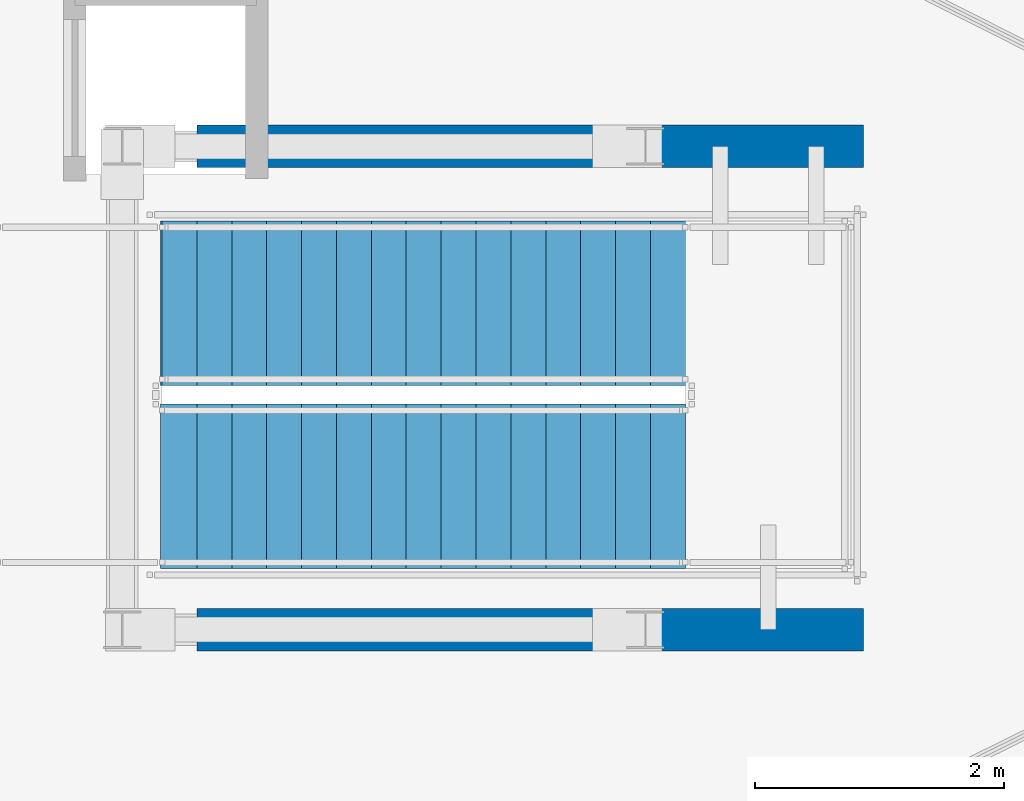
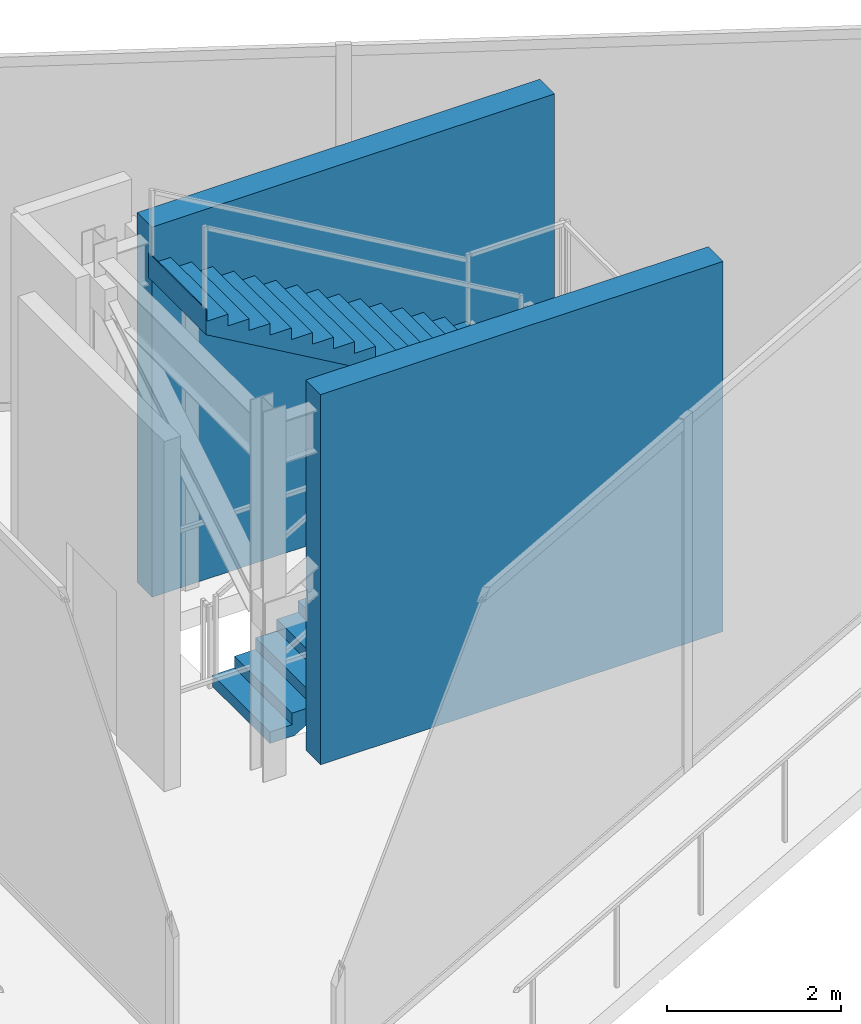
# One storey, part 2 of 3: 2 stair flights, 2 walls, 1 element without a shape of its own.
"""IFC4 building model written with IfcOpenShell, lengths in metres."""

import ifcopenshell
import ifcopenshell.guid

model = None  # the IFC model being written
_history = None  # IfcOwnerHistory: only IFC2X3 demands one
_inside = {}  # id of a spatial element -> (the spatial element, [elements in it])
_under = {}  # id of a project, library or spatial element -> (it, [spatial elements below it])
_declared = {}  # id of a project -> (the project, [libraries it declares])
_typed = {}  # id of a type object -> (the type object, [elements of that type])
_made_of = {}  # id of a material, layer set ... -> (it, [elements and type objects made of it])


def new_model(schema):
    """Start an empty IFC model of exactly this schema.

    Asked for "IFC4X3", IfcOpenShell would pick the latest addendum, in which some entities
    have other attributes; the version numbers below select the first issue.
    IFC2X3 requires an IfcOwnerHistory on every rooted entity: one is made here for all.
    """
    global model, _history
    if schema == "IFC4X3":
        model = ifcopenshell.file(schema_version=(4, 3, 0, 0))
    else:
        model = ifcopenshell.file(schema=schema)
    _inside.clear()
    _under.clear()
    _declared.clear()
    _typed.clear()
    _made_of.clear()
    _history = None
    if model.schema == "IFC2X3":
        org = make("IfcOrganization", Name="unknown")
        user = make(
            "IfcPersonAndOrganization",
            ThePerson=make("IfcPerson", FamilyName="unknown"),
            TheOrganization=org,
        )
        app = make(
            "IfcApplication",
            ApplicationDeveloper=org,
            Version="unknown",
            ApplicationFullName="unknown",
            ApplicationIdentifier="unknown",
        )
        _history = make(
            "IfcOwnerHistory",
            OwningUser=user,
            OwningApplication=app,
            ChangeAction="ADDED",
            CreationDate=0,
        )
    return model


def make(cls, **values):
    """One entity of the class cls with the attributes given. An attribute that is None is left unset."""
    return model.create_entity(
        cls, **{name: value for name, value in values.items() if value is not None}
    )


def rooted(cls, **values):
    """An entity with a GlobalId (a new one), such as an element, a storey or a relation."""
    return make(cls, GlobalId=ifcopenshell.guid.new(), OwnerHistory=_history, **values)


def si_unit(unit_type, name, prefix=None):
    """IfcSIUnit, for example si_unit("LENGTHUNIT", "METRE", prefix="MILLI")."""
    return make("IfcSIUnit", UnitType=unit_type, Prefix=prefix, Name=name)


def assignment(units):
    """IfcUnitAssignment: the units of a project."""
    return None if units is None else make("IfcUnitAssignment", Units=units)


def point(xyz):
    """IfcCartesianPoint."""
    return None if xyz is None else make("IfcCartesianPoint", Coordinates=xyz)


def direction(xyz):
    """IfcDirection."""
    return None if xyz is None else make("IfcDirection", DirectionRatios=xyz)


def frame(location, z_axis=None, x_axis=None):
    """IfcAxis2Placement3D, a coordinate frame: its origin and axes. An axis left out is left unset."""
    return make(
        "IfcAxis2Placement3D",
        Location=point(location),
        Axis=direction(z_axis),
        RefDirection=direction(x_axis),
    )


def frame_2d(location, x_axis=None):
    """IfcAxis2Placement2D, a coordinate frame in the plane: its origin and x axis."""
    return make(
        "IfcAxis2Placement2D", Location=point(location), RefDirection=direction(x_axis)
    )


def origin():
    """The frame at (0, 0, 0) with its axes left unset."""
    return frame((0.0, 0.0, 0.0))


def place(relative_to, where):
    """IfcLocalPlacement: puts the frame where relative to a parent placement (None: the world)."""
    return make(
        "IfcLocalPlacement", PlacementRelTo=relative_to, RelativePlacement=where
    )


def context(
    kind, dimensions, precision=None, world=None, true_north=None, identifier=None
):
    """IfcGeometricRepresentationContext, for example the 3D "Model" context."""
    return make(
        "IfcGeometricRepresentationContext",
        ContextIdentifier=identifier,
        ContextType=kind,
        CoordinateSpaceDimension=dimensions,
        Precision=precision,
        WorldCoordinateSystem=world,
        TrueNorth=true_north,
    )


def subcontext(parent, identifier, kind, view, scale=None):
    """IfcGeometricRepresentationSubContext, for example "Body" below "Model"."""
    return make(
        "IfcGeometricRepresentationSubContext",
        ContextIdentifier=identifier,
        ContextType=kind,
        ParentContext=parent,
        TargetScale=scale,
        TargetView=view,
    )


def project(units=None, contexts=None):
    """IfcProject with its units and contexts."""
    return rooted(
        "IfcProject",
        Name="project",
        RepresentationContexts=contexts,
        UnitsInContext=assignment(units),
    )


def spatial(cls, under=None, at=None, **own):
    """A site, building, storey or space (cls), placed at a placement, below another one or the project."""
    s = rooted(cls, ObjectPlacement=at, **own)
    if under is not None:
        _under.setdefault(under.id(), (under, []))[1].append(s)
    return s


def polyline(points):
    """IfcPolyline through the points."""
    return make("IfcPolyline", Points=[point(p) for p in points])


def profile(cls, at=None, kind="AREA", **sizes):
    """A parametric profile (cls). Its sizes go by their IFC names, for example OverallWidth=200.0."""
    return make(cls, ProfileType=kind, Position=at, **sizes)


def rectangle(**sizes):
    """IfcRectangleProfileDef."""
    return profile("IfcRectangleProfileDef", **sizes)


def outline(outer, holes=None, kind="AREA"):
    """IfcArbitraryClosedProfileDef: a profile drawn as a closed curve; with holes, ...WithVoids."""
    if holes is None:
        return make("IfcArbitraryClosedProfileDef", ProfileType=kind, OuterCurve=outer)
    return make(
        "IfcArbitraryProfileDefWithVoids",
        ProfileType=kind,
        OuterCurve=outer,
        InnerCurves=holes,
    )


def extrude(swept, where, along, depth):
    """IfcExtrudedAreaSolid: the profile swept, set in the frame where, extruded along a direction by depth."""
    return make(
        "IfcExtrudedAreaSolid",
        SweptArea=swept,
        Position=where,
        ExtrudedDirection=direction(along),
        Depth=depth,
    )


def shape(context_of_items, identifier, shape_type, items):
    """IfcShapeRepresentation: the items that make up one representation, for example the "Body"."""
    return make(
        "IfcShapeRepresentation",
        ContextOfItems=context_of_items,
        RepresentationIdentifier=identifier,
        RepresentationType=shape_type,
        Items=items,
    )


def material(Name=None, Category=None):
    """IfcMaterial."""
    return make("IfcMaterial", Name=Name, Category=Category)


def layer(
    of_material, thickness, ventilated=None, Name=None, Category=None, Priority=None
):
    """IfcMaterialLayer: one layer of a wall or slab, of a material (None: an air gap)."""
    return make(
        "IfcMaterialLayer",
        Material=of_material,
        LayerThickness=thickness,
        IsVentilated=ventilated,
        Name=Name,
        Category=Category,
        Priority=Priority,
    )


def layer_set(layers, Name=None):
    """IfcMaterialLayerSet."""
    return make("IfcMaterialLayerSet", MaterialLayers=layers, LayerSetName=Name)


def made_of(thing, what):
    """Note that an element or type object is made of a material, layer set ...; save() writes the relation."""
    if what is not None:
        _made_of.setdefault(what.id(), (what, []))[1].append(thing)
    return thing


def type_object(cls, material=None, **own):
    """A type object (cls), such as IfcWallType, which elements share."""
    return made_of(rooted(cls, **own), material)


def element(
    cls,
    number,
    at=None,
    inside=None,
    cuts=None,
    type_object=None,
    material=None,
    context=None,
    identifier="Body",
    shape_type=None,
    held_by="IfcProductDefinitionShape",
    body=None,
    shapes=None,
    **own,
):
    """One element of the class cls, such as IfcWall. Its Tag is "e" and its number.

    at: its placement. inside: the storey or other place that contains it. cuts: it is an
    opening in that element (IfcRelVoidsElement). A single representation is given by context,
    identifier, shape_type and body (its items); several are given by shapes. held_by: the class
    of the entity that holds the representations. save() writes the other relations.
    """
    e = rooted(cls, Tag="e%d" % number, ObjectPlacement=at, **own)
    if body is not None:
        shapes = [shape(context, identifier, shape_type, body)]
    if shapes is not None:
        e.Representation = make(held_by, Representations=shapes)
    if inside is not None:
        _inside.setdefault(inside.id(), (inside, []))[1].append(e)
    if cuts is not None:
        rooted(
            "IfcRelVoidsElement", RelatingBuildingElement=cuts, RelatedOpeningElement=e
        )
    if type_object is not None:
        _typed.setdefault(type_object.id(), (type_object, []))[1].append(e)
    return made_of(e, material)


def aggregate(whole, parts):
    """IfcRelAggregates: a whole, such as a stair, and the parts it consists of."""
    return rooted("IfcRelAggregates", RelatingObject=whole, RelatedObjects=parts)


def save(model, path):
    """Write the relations noted so far, then the file.

    IfcRelAggregates (storeys below a building ...), IfcRelContainedInSpatialStructure (elements
    in a storey), IfcRelDefinesByType, IfcRelAssociatesMaterial and IfcRelDeclares: one each for
    every whole, place, type object, material and project.
    """
    for whole, parts in _under.values():
        aggregate(whole, parts)
    for where, things in _inside.values():
        rooted(
            "IfcRelContainedInSpatialStructure",
            RelatedElements=things,
            RelatingStructure=where,
        )
    for kind, things in _typed.values():
        rooted("IfcRelDefinesByType", RelatedObjects=things, RelatingType=kind)
    for what, things in _made_of.values():
        rooted("IfcRelAssociatesMaterial", RelatedObjects=things, RelatingMaterial=what)
    for by, libraries in _declared.values():
        rooted("IfcRelDeclares", RelatingContext=by, RelatedDefinitions=libraries)
    model.write(path)


model = new_model("IFC4")

# Units and contexts
model_context = context("Model", 3, precision=1e-05, world=origin(), true_north=direction((0.0, 1.0)))
body_context = subcontext(model_context, "Body", "Model", "MODEL_VIEW")
ifc_project = project(units=[si_unit("LENGTHUNIT", "METRE"), si_unit("AREAUNIT", "SQUARE_METRE"), si_unit("VOLUMEUNIT", "CUBIC_METRE"), si_unit("PLANEANGLEUNIT", "RADIAN"), si_unit("MASSUNIT", "GRAM", prefix="KILO")], contexts=[model_context])

# Site, building, storey
site_placement = place(None, origin())
site = spatial("IfcSite", under=ifc_project, at=site_placement, CompositionType="ELEMENT")
building_placement = place(site_placement, origin())
building = spatial("IfcBuilding", under=site, at=building_placement, Name="Yunling Apex Tower", CompositionType="ELEMENT")
storey_placement = place(building_placement, frame((0.0, 0.0, 333.449951171875)))
storey = spatial("IfcBuildingStorey", under=building, at=storey_placement, Name="C04", CompositionType="ELEMENT", Elevation=333.449951171875)

# Walls
ifc_material = material(Name="Concrete C40", Category="concrete")
ifc_layer = layer(ifc_material, 0.340087890625)
ifc_layer_set = layer_set([ifc_layer], Name="Concrete C40")
wall_type = type_object("IfcWallType", Name="WL-COR-6", PredefinedType="SHEAR", material=ifc_layer_set)
for number, where, z_axis, x_axis, name in (
    (1, (-1.199951171875, 1.93994140625, 0.0), (0.0, 0.0, 1.0), (1.0, 0.0, 0.0), "C04 Crown Stair North Bearing Wall"),
    (2, (-1.199951171875, -1.93994140625, 0.0), (0.0, 0.0, 1.0), (1.0, 0.0, 0.0), "C04 Crown Stair South Bearing Wall"),
):
    element("IfcWall", number, at=place(storey_placement, frame(where, z_axis=z_axis, x_axis=x_axis)), inside=storey, type_object=wall_type, Name=name, PredefinedType="SHEAR", context=body_context, shape_type="SweptSolid", body=[
        extrude(rectangle(XDim=5.349853515625, YDim=0.340087890625, at=frame_2d((2.6748046875, 0.0))), origin(), (0.0, 0.0, 1.0), 5.199951171875),
    ])

# Stair, stair flights
stair_type = type_object("IfcStairType", Name="ST-CRN-1", PredefinedType="STRAIGHT_RUN_STAIR", material=ifc_material)
stair_placement = place(storey_placement, origin())
stair = element("IfcStair", 3, at=stair_placement, inside=storey, type_object=stair_type, Name="C04 Crown Maintenance Access Stair ST-C1", PredefinedType="HALF_TURN_STAIR")
stair_flight_type = type_object("IfcStairFlightType", Name="SFL-CRN-1", PredefinedType="STRAIGHT", material=ifc_material)
stair_flight_1_placement = place(storey_placement, frame((-1.47998046875, -0.7900390625, 0.0), z_axis=(0.0, 0.0, 1.0), x_axis=(1.0, 0.0, 0.0)))
stair_flight_1 = element("IfcStairFlight", 4, at=stair_flight_1_placement, type_object=stair_flight_type, Name="ST-C1 flight 1", NumberOfRisers=16, NumberOfTreads=15, PredefinedType="STRAIGHT", RiserHeight=0.1625, TreadLength=0.28, context=body_context, shape_type="SweptSolid", body=[
    extrude(outline(polyline([(-0.011962890625, 0.0), (-0.011962890625, 0.16259765625), (0.0, 0.16259765625), (0.280029296875, 0.16259765625), (0.280029296875, 0.324951171875), (0.56005859375, 0.324951171875), (0.56005859375, 0.487548828125), (0.840087890625, 0.487548828125), (0.840087890625, 0.64990234375), (1.1201171875, 0.64990234375), (1.1201171875, 0.8125), (1.39990234375, 0.8125), (1.39990234375, 0.97509765625), (1.679931640625, 0.97509765625), (1.679931640625, 1.137451171875), (1.9599609375, 1.137451171875), (1.9599609375, 1.300048828125), (2.239990234375, 1.300048828125), (2.239990234375, 1.46240234375), (2.52001953125, 1.46240234375), (2.52001953125, 1.625), (2.800048828125, 1.625), (2.800048828125, 1.78759765625), (3.080078125, 1.78759765625), (3.080078125, 1.949951171875), (3.360107421875, 1.949951171875), (3.360107421875, 2.112548828125), (3.639892578125, 2.112548828125), (3.639892578125, 2.27490234375), (3.919921875, 2.27490234375), (3.919921875, 2.4375), (4.199951171875, 2.4375), (4.199951171875, 2.60009765625), (4.2119140625, 2.60009765625), (4.2119140625, 2.252685546875), (0.318603515625, 0.0), (-0.011962890625, 0.0)])), frame((0.0, 0.66015625, 0.0), z_axis=(0.0, -1.0, 0.0), x_axis=(1.0, 0.0, 0.0)), (0.0, 0.0, 1.0), 1.320068359375),
])
stair_flight_2_placement = place(storey_placement, frame((2.719970703125, 0.679931640625, 2.60009765625), z_axis=(0.0, 0.0, 1.0), x_axis=(-1.0, 0.0, 0.0)))
stair_flight_2 = element("IfcStairFlight", 5, at=stair_flight_2_placement, type_object=stair_flight_type, Name="ST-C1 flight 2", NumberOfRisers=16, NumberOfTreads=15, PredefinedType="STRAIGHT", RiserHeight=0.1625, TreadLength=0.28, context=body_context, shape_type="SweptSolid", body=[
    extrude(outline(polyline([(-0.011962890625, 0.0), (-0.011962890625, 0.16259765625), (0.0, 0.16259765625), (0.280029296875, 0.16259765625), (0.280029296875, 0.324951171875), (0.56005859375, 0.324951171875), (0.56005859375, 0.487548828125), (0.840087890625, 0.487548828125), (0.840087890625, 0.64990234375), (1.1201171875, 0.64990234375), (1.1201171875, 0.8125), (1.39990234375, 0.8125), (1.39990234375, 0.97509765625), (1.679931640625, 0.97509765625), (1.679931640625, 1.137451171875), (1.9599609375, 1.137451171875), (1.9599609375, 1.300048828125), (2.239990234375, 1.300048828125), (2.239990234375, 1.46240234375), (2.52001953125, 1.46240234375), (2.52001953125, 1.625), (2.800048828125, 1.625), (2.800048828125, 1.78759765625), (3.080078125, 1.78759765625), (3.080078125, 1.949951171875), (3.360107421875, 1.949951171875), (3.360107421875, 2.112548828125), (3.639892578125, 2.112548828125), (3.639892578125, 2.27490234375), (3.919921875, 2.27490234375), (3.919921875, 2.4375), (4.199951171875, 2.4375), (4.199951171875, 2.60009765625), (4.2119140625, 2.60009765625), (4.2119140625, 2.252685546875), (0.318603515625, 0.0), (-0.011962890625, 0.0)])), frame((0.0, 0.66015625, 0.0), z_axis=(0.0, -1.0, 0.0), x_axis=(1.0, 0.0, 0.0)), (0.0, 0.0, 1.0), 1.320068359375),
])
aggregate(stair, [stair_flight_1, stair_flight_2])

save(model, "model.ifc")
